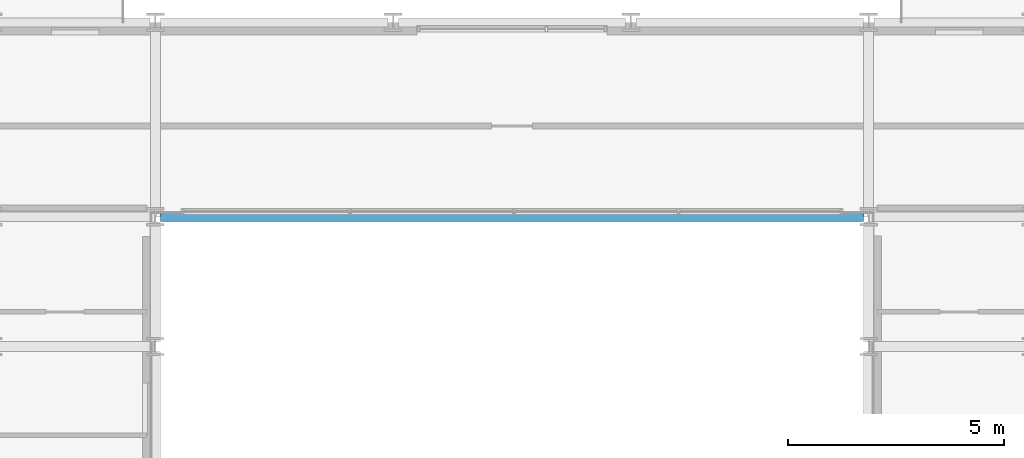
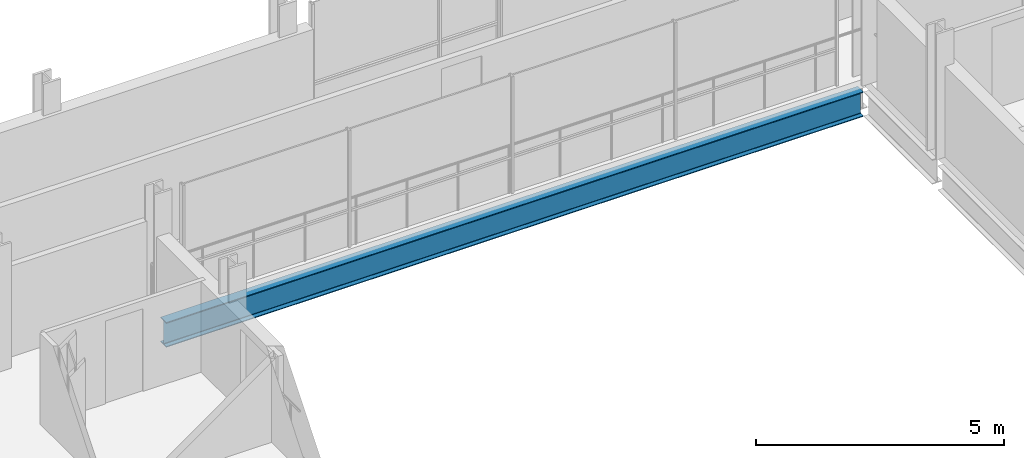
# One storey, part 10 of 40: 1 beam.
"""IFC4 building model written with IfcOpenShell, lengths in metres."""

import ifcopenshell
import ifcopenshell.guid

model = None  # the IFC model being written
_history = None  # IfcOwnerHistory: only IFC2X3 demands one
_inside = {}  # id of a spatial element -> (the spatial element, [elements in it])
_under = {}  # id of a project, library or spatial element -> (it, [spatial elements below it])
_declared = {}  # id of a project -> (the project, [libraries it declares])
_typed = {}  # id of a type object -> (the type object, [elements of that type])
_made_of = {}  # id of a material, layer set ... -> (it, [elements and type objects made of it])


def new_model(schema):
    """Start an empty IFC model of exactly this schema.

    Asked for "IFC4X3", IfcOpenShell would pick the latest addendum, in which some entities
    have other attributes; the version numbers below select the first issue.
    IFC2X3 requires an IfcOwnerHistory on every rooted entity: one is made here for all.
    """
    global model, _history
    if schema == "IFC4X3":
        model = ifcopenshell.file(schema_version=(4, 3, 0, 0))
    else:
        model = ifcopenshell.file(schema=schema)
    _inside.clear()
    _under.clear()
    _declared.clear()
    _typed.clear()
    _made_of.clear()
    _history = None
    if model.schema == "IFC2X3":
        org = make("IfcOrganization", Name="unknown")
        user = make(
            "IfcPersonAndOrganization",
            ThePerson=make("IfcPerson", FamilyName="unknown"),
            TheOrganization=org,
        )
        app = make(
            "IfcApplication",
            ApplicationDeveloper=org,
            Version="unknown",
            ApplicationFullName="unknown",
            ApplicationIdentifier="unknown",
        )
        _history = make(
            "IfcOwnerHistory",
            OwningUser=user,
            OwningApplication=app,
            ChangeAction="ADDED",
            CreationDate=0,
        )
    return model


def make(cls, **values):
    """One entity of the class cls with the attributes given. An attribute that is None is left unset."""
    return model.create_entity(
        cls, **{name: value for name, value in values.items() if value is not None}
    )


def rooted(cls, **values):
    """An entity with a GlobalId (a new one), such as an element, a storey or a relation."""
    return make(cls, GlobalId=ifcopenshell.guid.new(), OwnerHistory=_history, **values)


def si_unit(unit_type, name, prefix=None):
    """IfcSIUnit, for example si_unit("LENGTHUNIT", "METRE", prefix="MILLI")."""
    return make("IfcSIUnit", UnitType=unit_type, Prefix=prefix, Name=name)


def assignment(units):
    """IfcUnitAssignment: the units of a project."""
    return None if units is None else make("IfcUnitAssignment", Units=units)


def point(xyz):
    """IfcCartesianPoint."""
    return None if xyz is None else make("IfcCartesianPoint", Coordinates=xyz)


def direction(xyz):
    """IfcDirection."""
    return None if xyz is None else make("IfcDirection", DirectionRatios=xyz)


def frame(location, z_axis=None, x_axis=None):
    """IfcAxis2Placement3D, a coordinate frame: its origin and axes. An axis left out is left unset."""
    return make(
        "IfcAxis2Placement3D",
        Location=point(location),
        Axis=direction(z_axis),
        RefDirection=direction(x_axis),
    )


def frame_2d(location, x_axis=None):
    """IfcAxis2Placement2D, a coordinate frame in the plane: its origin and x axis."""
    return make(
        "IfcAxis2Placement2D", Location=point(location), RefDirection=direction(x_axis)
    )


def origin():
    """The frame at (0, 0, 0) with its axes left unset."""
    return frame((0.0, 0.0, 0.0))


def origin_2d():
    """The frame at (0, 0) in the plane with its x axis left unset."""
    return frame_2d((0.0, 0.0))


def place(relative_to, where):
    """IfcLocalPlacement: puts the frame where relative to a parent placement (None: the world)."""
    return make(
        "IfcLocalPlacement", PlacementRelTo=relative_to, RelativePlacement=where
    )


def context(
    kind, dimensions, precision=None, world=None, true_north=None, identifier=None
):
    """IfcGeometricRepresentationContext, for example the 3D "Model" context."""
    return make(
        "IfcGeometricRepresentationContext",
        ContextIdentifier=identifier,
        ContextType=kind,
        CoordinateSpaceDimension=dimensions,
        Precision=precision,
        WorldCoordinateSystem=world,
        TrueNorth=true_north,
    )


def subcontext(parent, identifier, kind, view, scale=None):
    """IfcGeometricRepresentationSubContext, for example "Body" below "Model"."""
    return make(
        "IfcGeometricRepresentationSubContext",
        ContextIdentifier=identifier,
        ContextType=kind,
        ParentContext=parent,
        TargetScale=scale,
        TargetView=view,
    )


def project(units=None, contexts=None):
    """IfcProject with its units and contexts."""
    return rooted(
        "IfcProject",
        Name="project",
        RepresentationContexts=contexts,
        UnitsInContext=assignment(units),
    )


def spatial(cls, under=None, at=None, **own):
    """A site, building, storey or space (cls), placed at a placement, below another one or the project."""
    s = rooted(cls, ObjectPlacement=at, **own)
    if under is not None:
        _under.setdefault(under.id(), (under, []))[1].append(s)
    return s


def profile(cls, at=None, kind="AREA", **sizes):
    """A parametric profile (cls). Its sizes go by their IFC names, for example OverallWidth=200.0."""
    return make(cls, ProfileType=kind, Position=at, **sizes)


def i_section(**sizes):
    """IfcIShapeProfileDef."""
    return profile("IfcIShapeProfileDef", **sizes)


def extrude(swept, where, along, depth):
    """IfcExtrudedAreaSolid: the profile swept, set in the frame where, extruded along a direction by depth."""
    return make(
        "IfcExtrudedAreaSolid",
        SweptArea=swept,
        Position=where,
        ExtrudedDirection=direction(along),
        Depth=depth,
    )


def shape(context_of_items, identifier, shape_type, items):
    """IfcShapeRepresentation: the items that make up one representation, for example the "Body"."""
    return make(
        "IfcShapeRepresentation",
        ContextOfItems=context_of_items,
        RepresentationIdentifier=identifier,
        RepresentationType=shape_type,
        Items=items,
    )


def material(Name=None, Category=None):
    """IfcMaterial."""
    return make("IfcMaterial", Name=Name, Category=Category)


def material_profile(
    of_material, cross_section, Name=None, Category=None, Priority=None
):
    """IfcMaterialProfile: a cross section and its material."""
    return make(
        "IfcMaterialProfile",
        Name=Name,
        Material=of_material,
        Profile=cross_section,
        Priority=Priority,
        Category=Category,
    )


def profile_set(profiles, Name=None, composite=None):
    """IfcMaterialProfileSet."""
    return make(
        "IfcMaterialProfileSet",
        Name=Name,
        MaterialProfiles=profiles,
        CompositeProfile=composite,
    )


def made_of(thing, what):
    """Note that an element or type object is made of a material, layer set ...; save() writes the relation."""
    if what is not None:
        _made_of.setdefault(what.id(), (what, []))[1].append(thing)
    return thing


def type_object(cls, material=None, **own):
    """A type object (cls), such as IfcWallType, which elements share."""
    return made_of(rooted(cls, **own), material)


def element(
    cls,
    number,
    at=None,
    inside=None,
    cuts=None,
    type_object=None,
    material=None,
    context=None,
    identifier="Body",
    shape_type=None,
    held_by="IfcProductDefinitionShape",
    body=None,
    shapes=None,
    **own,
):
    """One element of the class cls, such as IfcWall. Its Tag is "e" and its number.

    at: its placement. inside: the storey or other place that contains it. cuts: it is an
    opening in that element (IfcRelVoidsElement). A single representation is given by context,
    identifier, shape_type and body (its items); several are given by shapes. held_by: the class
    of the entity that holds the representations. save() writes the other relations.
    """
    e = rooted(cls, Tag="e%d" % number, ObjectPlacement=at, **own)
    if body is not None:
        shapes = [shape(context, identifier, shape_type, body)]
    if shapes is not None:
        e.Representation = make(held_by, Representations=shapes)
    if inside is not None:
        _inside.setdefault(inside.id(), (inside, []))[1].append(e)
    if cuts is not None:
        rooted(
            "IfcRelVoidsElement", RelatingBuildingElement=cuts, RelatedOpeningElement=e
        )
    if type_object is not None:
        _typed.setdefault(type_object.id(), (type_object, []))[1].append(e)
    return made_of(e, material)


def aggregate(whole, parts):
    """IfcRelAggregates: a whole, such as a stair, and the parts it consists of."""
    return rooted("IfcRelAggregates", RelatingObject=whole, RelatedObjects=parts)


def save(model, path):
    """Write the relations noted so far, then the file.

    IfcRelAggregates (storeys below a building ...), IfcRelContainedInSpatialStructure (elements
    in a storey), IfcRelDefinesByType, IfcRelAssociatesMaterial and IfcRelDeclares: one each for
    every whole, place, type object, material and project.
    """
    for whole, parts in _under.values():
        aggregate(whole, parts)
    for where, things in _inside.values():
        rooted(
            "IfcRelContainedInSpatialStructure",
            RelatedElements=things,
            RelatingStructure=where,
        )
    for kind, things in _typed.values():
        rooted("IfcRelDefinesByType", RelatedObjects=things, RelatingType=kind)
    for what, things in _made_of.values():
        rooted("IfcRelAssociatesMaterial", RelatedObjects=things, RelatingMaterial=what)
    for by, libraries in _declared.values():
        rooted("IfcRelDeclares", RelatingContext=by, RelatedDefinitions=libraries)
    model.write(path)


model = new_model("IFC4")

# Units and contexts
model_context = context("Model", 3, precision=1e-05, world=origin(), true_north=direction((0.0, 1.0)))
body_context = subcontext(model_context, "Body", "Model", "MODEL_VIEW")
ifc_project = project(units=[si_unit("LENGTHUNIT", "METRE"), si_unit("AREAUNIT", "SQUARE_METRE"), si_unit("VOLUMEUNIT", "CUBIC_METRE"), si_unit("PLANEANGLEUNIT", "RADIAN"), si_unit("MASSUNIT", "GRAM", prefix="KILO")], contexts=[model_context])

# Site, building, storey
site_placement = place(None, origin())
site = spatial("IfcSite", under=ifc_project, at=site_placement, CompositionType="ELEMENT")
building_placement = place(site_placement, origin())
building = spatial("IfcBuilding", under=site, at=building_placement, Name="Brevholm Reach", CompositionType="ELEMENT")
storey_placement = place(building_placement, frame((0.0, 0.0, 119.0)))
storey = spatial("IfcBuildingStorey", under=building, at=storey_placement, Name="L35", CompositionType="ELEMENT", Elevation=119.0)

# Beam
ifc_material = material(Name="Structural Steel S355J2", Category="steel")
ifc_material_profile = material_profile(ifc_material, i_section(OverallWidth=0.22900390625, OverallDepth=0.6123046875, WebThickness=0.011962890625, FlangeThickness=0.01953125, FilletRadius=0.0126953125, at=origin_2d()), Name="UKB 610x229x125")
ifc_profile_set = profile_set([ifc_material_profile], Name="Structural Steel S355J2")
beam_type = type_object("IfcBeamType", Name="BM-SP610", PredefinedType="SPANDREL", material=ifc_profile_set)
beam_placement = place(storey_placement, frame((21.8701171875, 26.5, -0.526123046875), z_axis=(1.0, 0.0, 0.0), x_axis=(0.0, 1.0, 0.0)))
element("IfcBeam", 1, at=beam_placement, inside=storey, type_object=beam_type, Name="L35 SP-01 Framing Beam", PredefinedType="SPANDREL", context=body_context, shape_type="SweptSolid", body=[
    extrude(i_section(OverallWidth=0.22900390625, OverallDepth=0.6123046875, WebThickness=0.011962890625, FlangeThickness=0.01953125, FilletRadius=0.0126953125, at=origin_2d()), origin(), (0.0, 0.0, 1.0), 16.259765625),
])

save(model, "model.ifc")
